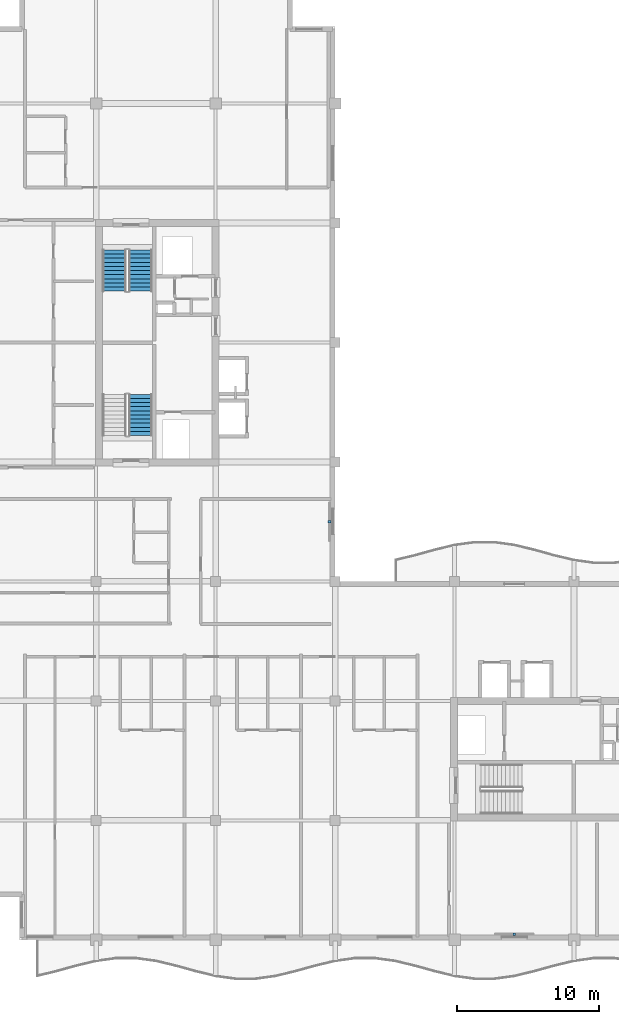
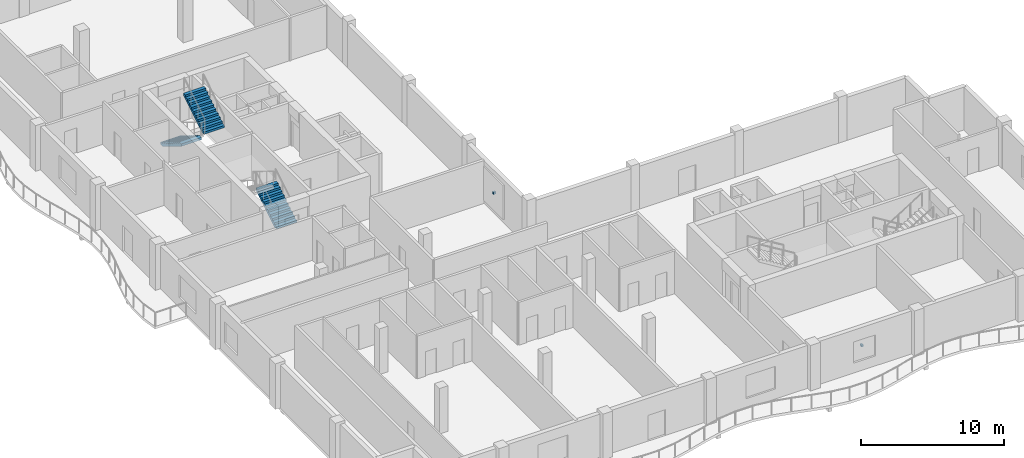
# One storey, part 8 of 11: 3 stair flights, 2 discrete accessories, 2 elements without a shape of their own.
"""IFC4 building model written with IfcOpenShell, lengths in metres."""

from ifc_helpers import new_model, si_unit, direction, frame, origin, origin_2d, place, context, subcontext, project, spatial, polyline, rectangle, outline, extrude, material, type_object, element, aggregate, save


model = new_model("IFC4")

# Units and contexts
model_context = context("Model", 3, precision=1e-05, world=origin(), true_north=direction((0.0, 1.0)))
body_context = subcontext(model_context, "Body", "Model", "MODEL_VIEW")
ifc_project = project(units=[si_unit("LENGTHUNIT", "METRE"), si_unit("AREAUNIT", "SQUARE_METRE"), si_unit("VOLUMEUNIT", "CUBIC_METRE"), si_unit("PLANEANGLEUNIT", "RADIAN"), si_unit("MASSUNIT", "GRAM", prefix="KILO")], contexts=[model_context])

# Site, building, storey
site_placement = place(None, origin())
site = spatial("IfcSite", under=ifc_project, at=site_placement, CompositionType="ELEMENT")
building_placement = place(site_placement, origin())
building = spatial("IfcBuilding", under=site, at=building_placement, Name="Koriwani Terraces Tower", CompositionType="ELEMENT")
storey_placement = place(building_placement, frame((0.0, 0.0, 312.5)))
storey = spatial("IfcBuildingStorey", under=building, at=storey_placement, Name="L77", CompositionType="ELEMENT", Elevation=312.5)

# Stair, stair flight
ifc_material_1 = material(Name="Concrete C40/50", Category="concrete")
stair_type = type_object("IfcStairType", Name="STAIR_CORE_DOGLEG_1650", PredefinedType="TWO_STRAIGHT_RUN_STAIR", material=ifc_material_1)
stair_1_placement = place(storey_placement, origin())
stair_1 = element("IfcStair", 1, at=stair_1_placement, inside=storey, type_object=stair_type, Name="L77 West Core Exit Stair 1", PredefinedType="HALF_TURN_STAIR")
stair_flight_type = type_object("IfcStairFlightType", Name="STAIR_FLIGHT_RC_1650", PredefinedType="STRAIGHT", material=ifc_material_1)
stair_flight_1_placement = place(storey_placement, frame((19.925048828125, 43.85009765625, 0.0), z_axis=(0.0, 0.0, 1.0), x_axis=(0.0, 1.0, 0.0)))
stair_flight_1 = element("IfcStairFlight", 2, at=stair_flight_1_placement, type_object=stair_flight_type, Name="ST-W1 flight 1", NumberOfRisers=11, NumberOfTreads=10, PredefinedType="STRAIGHT", RiserHeight=0.177272727, TreadLength=0.29, context=body_context, shape_type="SweptSolid", body=[
    extrude(outline(polyline([(0.0, 0.0), (0.0, 0.17724609375), (0.2900390625, 0.17724609375), (0.2900390625, 0.3544921875), (0.580078125, 0.3544921875), (0.580078125, 0.53173828125), (0.8701171875, 0.53173828125), (0.8701171875, 0.708984375), (1.159912109375, 0.708984375), (1.159912109375, 0.886474609375), (1.449951171875, 0.886474609375), (1.449951171875, 1.063720703125), (1.739990234375, 1.063720703125), (1.739990234375, 1.240966796875), (2.030029296875, 1.240966796875), (2.030029296875, 1.418212890625), (2.320068359375, 1.418212890625), (2.320068359375, 1.595458984375), (2.610107421875, 1.595458984375), (2.610107421875, 1.772705078125), (2.89990234375, 1.772705078125), (2.89990234375, 1.949951171875), (2.89990234375, 1.561767578125), (0.344970703125, 0.0), (0.0, 0.0)])), frame((0.0, 0.824951171875, 0.0), z_axis=(0.0, -1.0, 0.0), x_axis=(1.0, 0.0, 0.0)), (0.0, 0.0, 1.0), 1.64990234375),
])
aggregate(stair_1, [stair_flight_1])

# Stair, stair flights
stair_2_placement = place(storey_placement, origin())
stair_2 = element("IfcStair", 3, at=stair_2_placement, inside=storey, type_object=stair_type, Name="L77 West Core Exit Stair 2", PredefinedType="HALF_TURN_STAIR")
stair_flight_2_placement = place(storey_placement, frame((18.074951171875, 56.89990234375, 0.0), z_axis=(0.0, 0.0, 1.0), x_axis=(0.0, -1.0, 0.0)))
stair_flight_2 = element("IfcStairFlight", 4, at=stair_flight_2_placement, type_object=stair_flight_type, Name="ST-W2 flight 1", NumberOfRisers=11, NumberOfTreads=10, PredefinedType="STRAIGHT", RiserHeight=0.177272727, TreadLength=0.29, context=body_context, shape_type="SweptSolid", body=[
    extrude(outline(polyline([(0.0, 0.0), (0.0, 0.17724609375), (0.2900390625, 0.17724609375), (0.2900390625, 0.3544921875), (0.580078125, 0.3544921875), (0.580078125, 0.53173828125), (0.8701171875, 0.53173828125), (0.8701171875, 0.708984375), (1.159912109375, 0.708984375), (1.159912109375, 0.886474609375), (1.449951171875, 0.886474609375), (1.449951171875, 1.063720703125), (1.739990234375, 1.063720703125), (1.739990234375, 1.240966796875), (2.030029296875, 1.240966796875), (2.030029296875, 1.418212890625), (2.320068359375, 1.418212890625), (2.320068359375, 1.595458984375), (2.610107421875, 1.595458984375), (2.610107421875, 1.772705078125), (2.89990234375, 1.772705078125), (2.89990234375, 1.949951171875), (2.89990234375, 1.561767578125), (0.344970703125, 0.0), (0.0, 0.0)])), frame((0.0, 0.824951171875, 0.0), z_axis=(0.0, -1.0, 0.0), x_axis=(1.0, 0.0, 0.0)), (0.0, 0.0, 1.0), 1.64990234375),
])
stair_flight_3_placement = place(storey_placement, frame((19.925048828125, 54.0, 1.949951171875), z_axis=(0.0, 0.0, 1.0), x_axis=(0.0, 1.0, 0.0)))
stair_flight_3 = element("IfcStairFlight", 5, at=stair_flight_3_placement, type_object=stair_flight_type, Name="ST-W2 flight 2", NumberOfRisers=11, NumberOfTreads=10, PredefinedType="STRAIGHT", RiserHeight=0.177272727, TreadLength=0.29, context=body_context, shape_type="SweptSolid", body=[
    extrude(outline(polyline([(0.0, 0.0), (0.0, 0.17724609375), (0.2900390625, 0.17724609375), (0.2900390625, 0.3544921875), (0.580078125, 0.3544921875), (0.580078125, 0.53173828125), (0.8701171875, 0.53173828125), (0.8701171875, 0.708984375), (1.159912109375, 0.708984375), (1.159912109375, 0.886474609375), (1.449951171875, 0.886474609375), (1.449951171875, 1.063720703125), (1.739990234375, 1.063720703125), (1.739990234375, 1.240966796875), (2.030029296875, 1.240966796875), (2.030029296875, 1.418212890625), (2.320068359375, 1.418212890625), (2.320068359375, 1.595458984375), (2.610107421875, 1.595458984375), (2.610107421875, 1.772705078125), (2.89990234375, 1.772705078125), (2.89990234375, 1.949951171875), (2.89990234375, 1.561767578125), (0.344970703125, 0.0), (0.0, 0.0)])), frame((0.0, 0.824951171875, 0.0), z_axis=(0.0, -1.0, 0.0), x_axis=(1.0, 0.0, 0.0)), (0.0, 0.0, 1.0), 1.64990234375),
])
aggregate(stair_2, [stair_flight_2, stair_flight_3])

# Discrete accessories
ifc_material_2 = material(Name="Steel ASTM A572 Grade 50", Category="steel")
discrete_accessory_type = type_object("IfcDiscreteAccessoryType", Name="BAGUETTE_STANDOFF_BRACKET", PredefinedType="BRACKET", material=ifc_material_2)
for number, where, z_axis, x_axis, name in (
    (6, (33.2099609375, 37.800048828125, 1.7451171875), (0.0, 0.0, 1.0), (0.0, -1.0, 0.0), "L77 Terracotta Baguette Bracket (NW_IN-2)"),
    (7, (46.199951171875, 8.7900390625, 1.7451171875), (0.0, 0.0, 1.0), (-1.0, 0.0, 0.0), "L77 Terracotta Baguette Bracket (S-12)"),
):
    element("IfcDiscreteAccessory", number, at=place(storey_placement, frame(where, z_axis=z_axis, x_axis=x_axis)), inside=storey, type_object=discrete_accessory_type, Name=name, PredefinedType="BRACKET", context=body_context, shape_type="SweptSolid", body=[
        extrude(rectangle(XDim=0.159912109375, YDim=0.199951171875, at=origin_2d()), origin(), (0.0, 0.0, 1.0), 0.179931640625),
    ])

save(model, "model.ifc")
